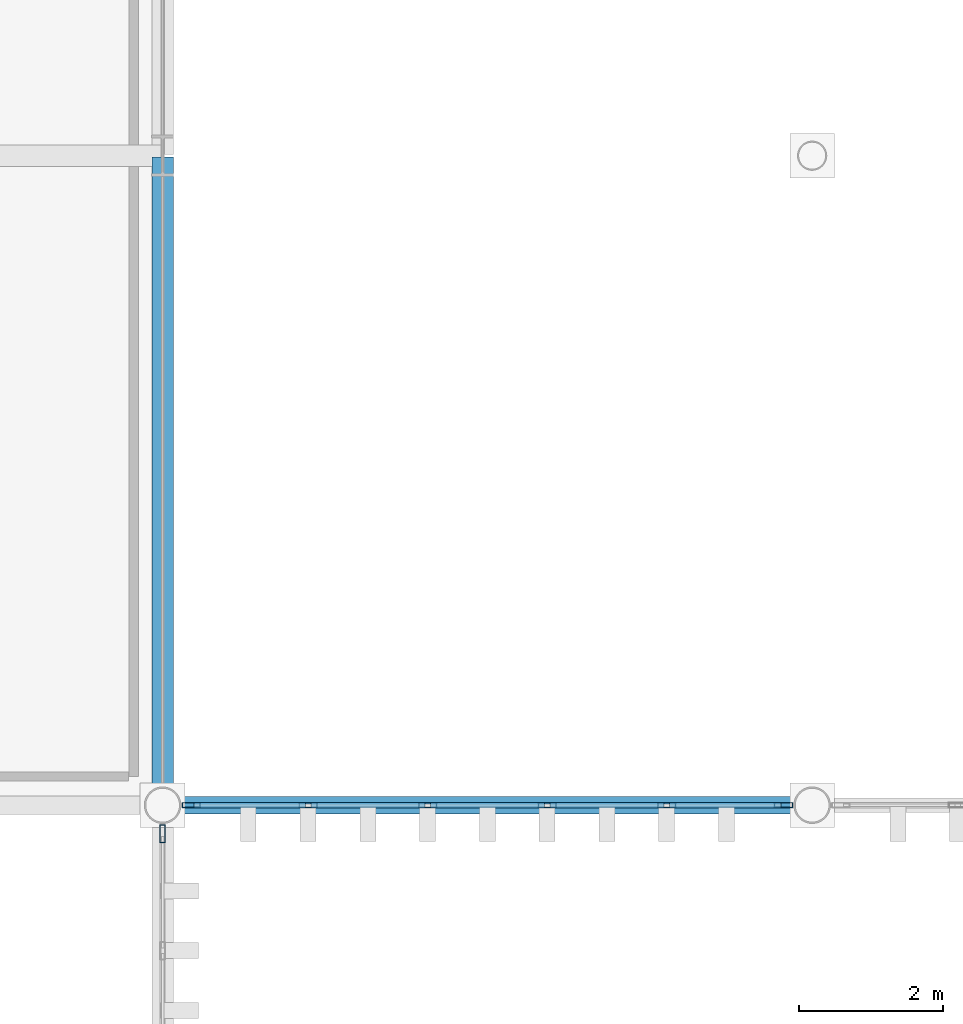
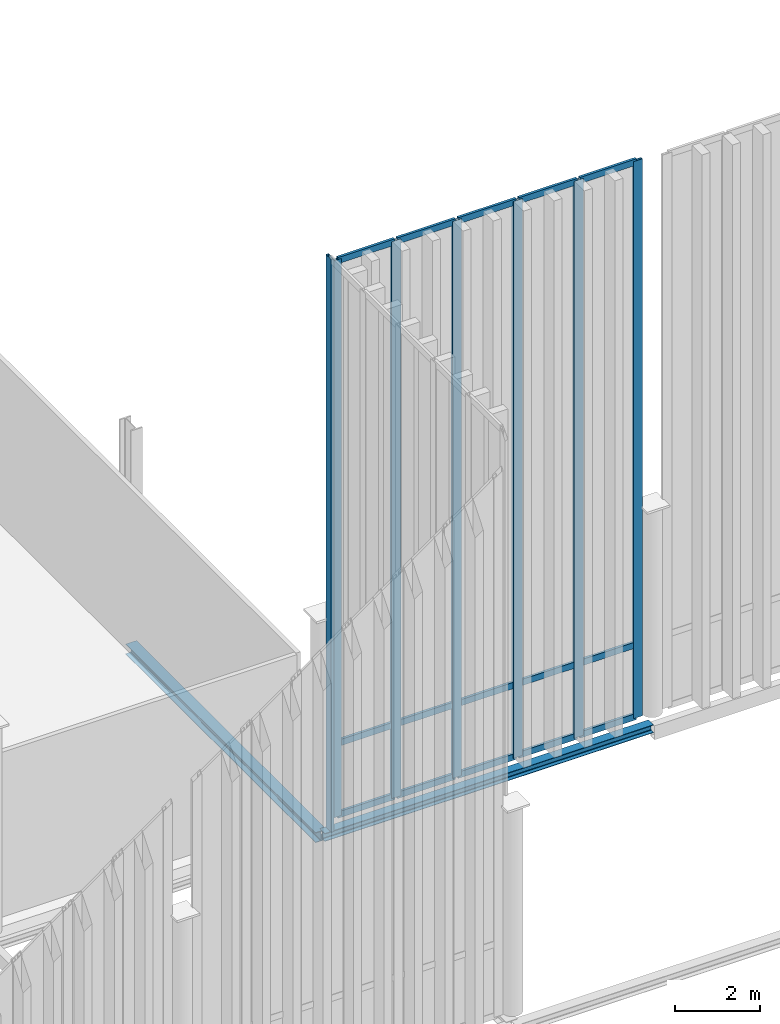
# One storey, part 35 of 237: 22 members, 2 beams, 2 elements without a shape of their own.
"""IFC4 building model written with IfcOpenShell, lengths in metres."""

import ifcopenshell
import ifcopenshell.guid

model = None  # the IFC model being written
_history = None  # IfcOwnerHistory: only IFC2X3 demands one
_inside = {}  # id of a spatial element -> (the spatial element, [elements in it])
_under = {}  # id of a project, library or spatial element -> (it, [spatial elements below it])
_declared = {}  # id of a project -> (the project, [libraries it declares])
_typed = {}  # id of a type object -> (the type object, [elements of that type])
_made_of = {}  # id of a material, layer set ... -> (it, [elements and type objects made of it])


def new_model(schema):
    """Start an empty IFC model of exactly this schema.

    Asked for "IFC4X3", IfcOpenShell would pick the latest addendum, in which some entities
    have other attributes; the version numbers below select the first issue.
    IFC2X3 requires an IfcOwnerHistory on every rooted entity: one is made here for all.
    """
    global model, _history
    if schema == "IFC4X3":
        model = ifcopenshell.file(schema_version=(4, 3, 0, 0))
    else:
        model = ifcopenshell.file(schema=schema)
    _inside.clear()
    _under.clear()
    _declared.clear()
    _typed.clear()
    _made_of.clear()
    _history = None
    if model.schema == "IFC2X3":
        org = make("IfcOrganization", Name="unknown")
        user = make(
            "IfcPersonAndOrganization",
            ThePerson=make("IfcPerson", FamilyName="unknown"),
            TheOrganization=org,
        )
        app = make(
            "IfcApplication",
            ApplicationDeveloper=org,
            Version="unknown",
            ApplicationFullName="unknown",
            ApplicationIdentifier="unknown",
        )
        _history = make(
            "IfcOwnerHistory",
            OwningUser=user,
            OwningApplication=app,
            ChangeAction="ADDED",
            CreationDate=0,
        )
    return model


def make(cls, **values):
    """One entity of the class cls with the attributes given. An attribute that is None is left unset."""
    return model.create_entity(
        cls, **{name: value for name, value in values.items() if value is not None}
    )


def rooted(cls, **values):
    """An entity with a GlobalId (a new one), such as an element, a storey or a relation."""
    return make(cls, GlobalId=ifcopenshell.guid.new(), OwnerHistory=_history, **values)


def si_unit(unit_type, name, prefix=None):
    """IfcSIUnit, for example si_unit("LENGTHUNIT", "METRE", prefix="MILLI")."""
    return make("IfcSIUnit", UnitType=unit_type, Prefix=prefix, Name=name)


def assignment(units):
    """IfcUnitAssignment: the units of a project."""
    return None if units is None else make("IfcUnitAssignment", Units=units)


def point(xyz):
    """IfcCartesianPoint."""
    return None if xyz is None else make("IfcCartesianPoint", Coordinates=xyz)


def direction(xyz):
    """IfcDirection."""
    return None if xyz is None else make("IfcDirection", DirectionRatios=xyz)


def frame(location, z_axis=None, x_axis=None):
    """IfcAxis2Placement3D, a coordinate frame: its origin and axes. An axis left out is left unset."""
    return make(
        "IfcAxis2Placement3D",
        Location=point(location),
        Axis=direction(z_axis),
        RefDirection=direction(x_axis),
    )


def frame_2d(location, x_axis=None):
    """IfcAxis2Placement2D, a coordinate frame in the plane: its origin and x axis."""
    return make(
        "IfcAxis2Placement2D", Location=point(location), RefDirection=direction(x_axis)
    )


def origin():
    """The frame at (0, 0, 0) with its axes left unset."""
    return frame((0.0, 0.0, 0.0))


def origin_2d():
    """The frame at (0, 0) in the plane with its x axis left unset."""
    return frame_2d((0.0, 0.0))


def place(relative_to, where):
    """IfcLocalPlacement: puts the frame where relative to a parent placement (None: the world)."""
    return make(
        "IfcLocalPlacement", PlacementRelTo=relative_to, RelativePlacement=where
    )


def context(
    kind, dimensions, precision=None, world=None, true_north=None, identifier=None
):
    """IfcGeometricRepresentationContext, for example the 3D "Model" context."""
    return make(
        "IfcGeometricRepresentationContext",
        ContextIdentifier=identifier,
        ContextType=kind,
        CoordinateSpaceDimension=dimensions,
        Precision=precision,
        WorldCoordinateSystem=world,
        TrueNorth=true_north,
    )


def subcontext(parent, identifier, kind, view, scale=None):
    """IfcGeometricRepresentationSubContext, for example "Body" below "Model"."""
    return make(
        "IfcGeometricRepresentationSubContext",
        ContextIdentifier=identifier,
        ContextType=kind,
        ParentContext=parent,
        TargetScale=scale,
        TargetView=view,
    )


def project(units=None, contexts=None):
    """IfcProject with its units and contexts."""
    return rooted(
        "IfcProject",
        Name="project",
        RepresentationContexts=contexts,
        UnitsInContext=assignment(units),
    )


def spatial(cls, under=None, at=None, **own):
    """A site, building, storey or space (cls), placed at a placement, below another one or the project."""
    s = rooted(cls, ObjectPlacement=at, **own)
    if under is not None:
        _under.setdefault(under.id(), (under, []))[1].append(s)
    return s


def profile(cls, at=None, kind="AREA", **sizes):
    """A parametric profile (cls). Its sizes go by their IFC names, for example OverallWidth=200.0."""
    return make(cls, ProfileType=kind, Position=at, **sizes)


def hollow_rectangle(**sizes):
    """IfcRectangleHollowProfileDef."""
    return profile("IfcRectangleHollowProfileDef", **sizes)


def i_section(**sizes):
    """IfcIShapeProfileDef."""
    return profile("IfcIShapeProfileDef", **sizes)


def extrude(swept, where, along, depth):
    """IfcExtrudedAreaSolid: the profile swept, set in the frame where, extruded along a direction by depth."""
    return make(
        "IfcExtrudedAreaSolid",
        SweptArea=swept,
        Position=where,
        ExtrudedDirection=direction(along),
        Depth=depth,
    )


def shape(context_of_items, identifier, shape_type, items):
    """IfcShapeRepresentation: the items that make up one representation, for example the "Body"."""
    return make(
        "IfcShapeRepresentation",
        ContextOfItems=context_of_items,
        RepresentationIdentifier=identifier,
        RepresentationType=shape_type,
        Items=items,
    )


def material(Name=None, Category=None):
    """IfcMaterial."""
    return make("IfcMaterial", Name=Name, Category=Category)


def layer(
    of_material, thickness, ventilated=None, Name=None, Category=None, Priority=None
):
    """IfcMaterialLayer: one layer of a wall or slab, of a material (None: an air gap)."""
    return make(
        "IfcMaterialLayer",
        Material=of_material,
        LayerThickness=thickness,
        IsVentilated=ventilated,
        Name=Name,
        Category=Category,
        Priority=Priority,
    )


def layer_set(layers, Name=None):
    """IfcMaterialLayerSet."""
    return make("IfcMaterialLayerSet", MaterialLayers=layers, LayerSetName=Name)


def material_profile(
    of_material, cross_section, Name=None, Category=None, Priority=None
):
    """IfcMaterialProfile: a cross section and its material."""
    return make(
        "IfcMaterialProfile",
        Name=Name,
        Material=of_material,
        Profile=cross_section,
        Priority=Priority,
        Category=Category,
    )


def profile_set(profiles, Name=None, composite=None):
    """IfcMaterialProfileSet."""
    return make(
        "IfcMaterialProfileSet",
        Name=Name,
        MaterialProfiles=profiles,
        CompositeProfile=composite,
    )


def made_of(thing, what):
    """Note that an element or type object is made of a material, layer set ...; save() writes the relation."""
    if what is not None:
        _made_of.setdefault(what.id(), (what, []))[1].append(thing)
    return thing


def type_object(cls, material=None, **own):
    """A type object (cls), such as IfcWallType, which elements share."""
    return made_of(rooted(cls, **own), material)


def element(
    cls,
    number,
    at=None,
    inside=None,
    cuts=None,
    type_object=None,
    material=None,
    context=None,
    identifier="Body",
    shape_type=None,
    held_by="IfcProductDefinitionShape",
    body=None,
    shapes=None,
    **own,
):
    """One element of the class cls, such as IfcWall. Its Tag is "e" and its number.

    at: its placement. inside: the storey or other place that contains it. cuts: it is an
    opening in that element (IfcRelVoidsElement). A single representation is given by context,
    identifier, shape_type and body (its items); several are given by shapes. held_by: the class
    of the entity that holds the representations. save() writes the other relations.
    """
    e = rooted(cls, Tag="e%d" % number, ObjectPlacement=at, **own)
    if body is not None:
        shapes = [shape(context, identifier, shape_type, body)]
    if shapes is not None:
        e.Representation = make(held_by, Representations=shapes)
    if inside is not None:
        _inside.setdefault(inside.id(), (inside, []))[1].append(e)
    if cuts is not None:
        rooted(
            "IfcRelVoidsElement", RelatingBuildingElement=cuts, RelatedOpeningElement=e
        )
    if type_object is not None:
        _typed.setdefault(type_object.id(), (type_object, []))[1].append(e)
    return made_of(e, material)


def aggregate(whole, parts):
    """IfcRelAggregates: a whole, such as a stair, and the parts it consists of."""
    return rooted("IfcRelAggregates", RelatingObject=whole, RelatedObjects=parts)


def save(model, path):
    """Write the relations noted so far, then the file.

    IfcRelAggregates (storeys below a building ...), IfcRelContainedInSpatialStructure (elements
    in a storey), IfcRelDefinesByType, IfcRelAssociatesMaterial and IfcRelDeclares: one each for
    every whole, place, type object, material and project.
    """
    for whole, parts in _under.values():
        aggregate(whole, parts)
    for where, things in _inside.values():
        rooted(
            "IfcRelContainedInSpatialStructure",
            RelatedElements=things,
            RelatingStructure=where,
        )
    for kind, things in _typed.values():
        rooted("IfcRelDefinesByType", RelatedObjects=things, RelatingType=kind)
    for what, things in _made_of.values():
        rooted("IfcRelAssociatesMaterial", RelatedObjects=things, RelatingMaterial=what)
    for by, libraries in _declared.values():
        rooted("IfcRelDeclares", RelatingContext=by, RelatedDefinitions=libraries)
    model.write(path)


model = new_model("IFC4")

# Units and contexts
model_context = context("Model", 3, precision=1e-05, world=origin(), true_north=direction((0.0, 1.0)))
body_context = subcontext(model_context, "Body", "Model", "MODEL_VIEW")
ifc_project = project(units=[si_unit("LENGTHUNIT", "METRE"), si_unit("AREAUNIT", "SQUARE_METRE"), si_unit("VOLUMEUNIT", "CUBIC_METRE"), si_unit("PLANEANGLEUNIT", "RADIAN"), si_unit("MASSUNIT", "GRAM", prefix="KILO")], contexts=[model_context])

# Site, building, storey
site_placement = place(None, origin())
site = spatial("IfcSite", under=ifc_project, at=site_placement, CompositionType="ELEMENT")
building_placement = place(site_placement, origin())
building = spatial("IfcBuilding", under=site, at=building_placement, Name="Barlavento Convention Centre", CompositionType="ELEMENT")
storey_placement = place(building_placement, frame((0.0, 0.0, 12.0)))
storey = spatial("IfcBuildingStorey", under=building, at=storey_placement, Name="L02", CompositionType="ELEMENT", Elevation=12.0)

# Curtain wall, members
ifc_material_1 = material(Name="Powder-coated aluminium and Low-E glass", Category="aluminium")
ifc_layer = layer(ifc_material_1, 0.18994140625)
ifc_layer_set = layer_set([ifc_layer], Name="ARC-CW-CONG-L02")
curtain_wall_type = type_object("IfcCurtainWallType", Name="ARC-CW-CONG-L02", PredefinedType="NOTDEFINED", material=ifc_layer_set)
curtain_wall_1_placement = place(storey_placement, origin())
curtain_wall_1 = element("IfcCurtainWall", 1, at=curtain_wall_1_placement, inside=storey, type_object=curtain_wall_type, Name="L02 unitised curtain wall CW02", PredefinedType="NOTDEFINED")
ifc_material_2 = material(Name="Powder-coated aluminium", Category="aluminium")
ifc_material_profile_1 = material_profile(ifc_material_2, hollow_rectangle(XDim=0.074951171875, YDim=0.25, WallThickness=0.006103515625, at=origin_2d()), Name="AL-MULL 75x250x6")
ifc_profile_set_1 = profile_set([ifc_material_profile_1], Name="Powder-coated aluminium")
member_type_1 = type_object("IfcMemberType", Name="ARC-CWM-75X250", PredefinedType="MULLION", material=ifc_profile_set_1)
member_1_placement = place(storey_placement, frame((18.396484375, 9.0, 0.0), z_axis=(0.0, 0.0, 1.0), x_axis=(0.0, 1.0, 0.0)))
member_1 = element("IfcMember", 2, at=member_1_placement, type_object=member_type_1, Name="CW02 mullion 1", PredefinedType="MULLION", context=body_context, shape_type="SweptSolid", body=[
    extrude(hollow_rectangle(XDim=0.074951171875, YDim=0.25, WallThickness=0.006103515625, at=origin_2d()), origin(), (0.0, 0.0, 1.0), 16.037109375),
])
member_2_placement = place(storey_placement, frame((20.015380859375, 9.0, 0.0), z_axis=(0.0, 0.0, 1.0), x_axis=(0.0, 1.0, 0.0)))
member_2 = element("IfcMember", 3, at=member_2_placement, type_object=member_type_1, Name="CW02 mullion 2", PredefinedType="MULLION", context=body_context, shape_type="SweptSolid", body=[
    extrude(hollow_rectangle(XDim=0.074951171875, YDim=0.25, WallThickness=0.006103515625, at=origin_2d()), origin(), (0.0, 0.0, 1.0), 16.037109375),
])
member_3_placement = place(storey_placement, frame((21.671875, 9.0, 0.0), z_axis=(0.0, 0.0, 1.0), x_axis=(0.0, 1.0, 0.0)))
member_3 = element("IfcMember", 4, at=member_3_placement, type_object=member_type_1, Name="CW02 mullion 3", PredefinedType="MULLION", context=body_context, shape_type="SweptSolid", body=[
    extrude(hollow_rectangle(XDim=0.074951171875, YDim=0.25, WallThickness=0.006103515625, at=origin_2d()), origin(), (0.0, 0.0, 1.0), 16.037109375),
])
member_4_placement = place(storey_placement, frame((23.328125, 9.0, 0.0), z_axis=(0.0, 0.0, 1.0), x_axis=(0.0, 1.0, 0.0)))
member_4 = element("IfcMember", 5, at=member_4_placement, type_object=member_type_1, Name="CW02 mullion 4", PredefinedType="MULLION", context=body_context, shape_type="SweptSolid", body=[
    extrude(hollow_rectangle(XDim=0.074951171875, YDim=0.25, WallThickness=0.006103515625, at=origin_2d()), origin(), (0.0, 0.0, 1.0), 16.037109375),
])
member_5_placement = place(storey_placement, frame((24.984619140625, 9.0, 0.0), z_axis=(0.0, 0.0, 1.0), x_axis=(0.0, 1.0, 0.0)))
member_5 = element("IfcMember", 6, at=member_5_placement, type_object=member_type_1, Name="CW02 mullion 5", PredefinedType="MULLION", context=body_context, shape_type="SweptSolid", body=[
    extrude(hollow_rectangle(XDim=0.074951171875, YDim=0.25, WallThickness=0.006103515625, at=origin_2d()), origin(), (0.0, 0.0, 1.0), 16.037109375),
])
member_6_placement = place(storey_placement, frame((26.603515625, 9.0, 0.0), z_axis=(0.0, 0.0, 1.0), x_axis=(0.0, 1.0, 0.0)))
member_6 = element("IfcMember", 7, at=member_6_placement, type_object=member_type_1, Name="CW02 mullion 6", PredefinedType="MULLION", context=body_context, shape_type="SweptSolid", body=[
    extrude(hollow_rectangle(XDim=0.074951171875, YDim=0.25, WallThickness=0.006103515625, at=origin_2d()), origin(), (0.0, 0.0, 1.0), 16.037109375),
])

# Curtain wall, member
curtain_wall_2_placement = place(storey_placement, origin())
curtain_wall_2 = element("IfcCurtainWall", 8, at=curtain_wall_2_placement, inside=storey, type_object=curtain_wall_type, Name="L02 unitised curtain wall CW02", PredefinedType="NOTDEFINED")
member_7_placement = place(storey_placement, frame((18.0, 8.603515625, 0.0), z_axis=(0.0, 0.0, 1.0), x_axis=(-1.0, 0.0, 0.0)))
member_7 = element("IfcMember", 9, at=member_7_placement, type_object=member_type_1, Name="CW02 mullion 6", PredefinedType="MULLION", context=body_context, shape_type="SweptSolid", body=[
    extrude(hollow_rectangle(XDim=0.074951171875, YDim=0.25, WallThickness=0.006103515625, at=origin_2d()), origin(), (0.0, 0.0, 1.0), 16.493896484375),
])
aggregate(curtain_wall_2, [member_7])

# Member
ifc_material_profile_2 = material_profile(ifc_material_2, hollow_rectangle(XDim=0.070068359375, YDim=0.179931640625, WallThickness=0.0048828125, at=origin_2d()), Name="AL-TRAN 70x180x5")
ifc_profile_set_2 = profile_set([ifc_material_profile_2], Name="Powder-coated aluminium")
member_type_2 = type_object("IfcMemberType", Name="ARC-CWT-70X180", PredefinedType="USERDEFINED", material=ifc_profile_set_2)
member_8_placement = place(storey_placement, frame((18.43408203125, 9.0, 0.034912109375), z_axis=(1.0, 0.0, 0.0), x_axis=(0.0, 1.0, 0.0)))
member_8 = element("IfcMember", 10, at=member_8_placement, type_object=member_type_2, Name="CW02 transom 1.1", ObjectType="TRANSOM", PredefinedType="USERDEFINED", context=body_context, shape_type="SweptSolid", body=[
    extrude(hollow_rectangle(XDim=0.070068359375, YDim=0.179931640625, WallThickness=0.0048828125, at=origin_2d()), origin(), (0.0, 0.0, 1.0), 1.543701171875),
])

member_9_placement = place(storey_placement, frame((18.43408203125, 9.0, 2.10009765625), z_axis=(1.0, 0.0, 0.0), x_axis=(0.0, 1.0, 0.0)))
member_9 = element("IfcMember", 11, at=member_9_placement, type_object=member_type_2, Name="CW02 transom 1.2", ObjectType="TRANSOM", PredefinedType="USERDEFINED", context=body_context, shape_type="SweptSolid", body=[
    extrude(hollow_rectangle(XDim=0.070068359375, YDim=0.179931640625, WallThickness=0.0048828125, at=origin_2d()), origin(), (0.0, 0.0, 1.0), 1.543701171875),
])

member_10_placement = place(storey_placement, frame((18.43408203125, 9.0, 16.001953125), z_axis=(1.0, 0.0, 0.0), x_axis=(0.0, 1.0, 0.0)))
member_10 = element("IfcMember", 12, at=member_10_placement, type_object=member_type_2, Name="CW02 transom 1.3", ObjectType="TRANSOM", PredefinedType="USERDEFINED", context=body_context, shape_type="SweptSolid", body=[
    extrude(hollow_rectangle(XDim=0.070068359375, YDim=0.179931640625, WallThickness=0.0048828125, at=origin_2d()), origin(), (0.0, 0.0, 1.0), 1.543701171875),
])

member_11_placement = place(storey_placement, frame((20.052978515625, 9.0, 0.034912109375), z_axis=(1.0, 0.0, 0.0), x_axis=(0.0, 1.0, 0.0)))
member_11 = element("IfcMember", 13, at=member_11_placement, type_object=member_type_2, Name="CW02 transom 2.1", ObjectType="TRANSOM", PredefinedType="USERDEFINED", context=body_context, shape_type="SweptSolid", body=[
    extrude(hollow_rectangle(XDim=0.070068359375, YDim=0.179931640625, WallThickness=0.0048828125, at=origin_2d()), origin(), (0.0, 0.0, 1.0), 1.581298828125),
])

member_12_placement = place(storey_placement, frame((20.052978515625, 9.0, 2.10009765625), z_axis=(1.0, 0.0, 0.0), x_axis=(0.0, 1.0, 0.0)))
member_12 = element("IfcMember", 14, at=member_12_placement, type_object=member_type_2, Name="CW02 transom 2.2", ObjectType="TRANSOM", PredefinedType="USERDEFINED", context=body_context, shape_type="SweptSolid", body=[
    extrude(hollow_rectangle(XDim=0.070068359375, YDim=0.179931640625, WallThickness=0.0048828125, at=origin_2d()), origin(), (0.0, 0.0, 1.0), 1.581298828125),
])

member_13_placement = place(storey_placement, frame((20.052978515625, 9.0, 16.001953125), z_axis=(1.0, 0.0, 0.0), x_axis=(0.0, 1.0, 0.0)))
member_13 = element("IfcMember", 15, at=member_13_placement, type_object=member_type_2, Name="CW02 transom 2.3", ObjectType="TRANSOM", PredefinedType="USERDEFINED", context=body_context, shape_type="SweptSolid", body=[
    extrude(hollow_rectangle(XDim=0.070068359375, YDim=0.179931640625, WallThickness=0.0048828125, at=origin_2d()), origin(), (0.0, 0.0, 1.0), 1.581298828125),
])

member_14_placement = place(storey_placement, frame((21.709228515625, 9.0, 0.034912109375), z_axis=(1.0, 0.0, 0.0), x_axis=(0.0, 1.0, 0.0)))
member_14 = element("IfcMember", 16, at=member_14_placement, type_object=member_type_2, Name="CW02 transom 3.1", ObjectType="TRANSOM", PredefinedType="USERDEFINED", context=body_context, shape_type="SweptSolid", body=[
    extrude(hollow_rectangle(XDim=0.070068359375, YDim=0.179931640625, WallThickness=0.0048828125, at=origin_2d()), origin(), (0.0, 0.0, 1.0), 1.58154296875),
])

member_15_placement = place(storey_placement, frame((21.709228515625, 9.0, 2.10009765625), z_axis=(1.0, 0.0, 0.0), x_axis=(0.0, 1.0, 0.0)))
member_15 = element("IfcMember", 17, at=member_15_placement, type_object=member_type_2, Name="CW02 transom 3.2", ObjectType="TRANSOM", PredefinedType="USERDEFINED", context=body_context, shape_type="SweptSolid", body=[
    extrude(hollow_rectangle(XDim=0.070068359375, YDim=0.179931640625, WallThickness=0.0048828125, at=origin_2d()), origin(), (0.0, 0.0, 1.0), 1.58154296875),
])

member_16_placement = place(storey_placement, frame((21.709228515625, 9.0, 16.001953125), z_axis=(1.0, 0.0, 0.0), x_axis=(0.0, 1.0, 0.0)))
member_16 = element("IfcMember", 18, at=member_16_placement, type_object=member_type_2, Name="CW02 transom 3.3", ObjectType="TRANSOM", PredefinedType="USERDEFINED", context=body_context, shape_type="SweptSolid", body=[
    extrude(hollow_rectangle(XDim=0.070068359375, YDim=0.179931640625, WallThickness=0.0048828125, at=origin_2d()), origin(), (0.0, 0.0, 1.0), 1.58154296875),
])

member_17_placement = place(storey_placement, frame((23.36572265625, 9.0, 0.034912109375), z_axis=(1.0, 0.0, 0.0), x_axis=(0.0, 1.0, 0.0)))
member_17 = element("IfcMember", 19, at=member_17_placement, type_object=member_type_2, Name="CW02 transom 4.1", ObjectType="TRANSOM", PredefinedType="USERDEFINED", context=body_context, shape_type="SweptSolid", body=[
    extrude(hollow_rectangle(XDim=0.070068359375, YDim=0.179931640625, WallThickness=0.0048828125, at=origin_2d()), origin(), (0.0, 0.0, 1.0), 1.581298828125),
])

member_18_placement = place(storey_placement, frame((23.36572265625, 9.0, 2.10009765625), z_axis=(1.0, 0.0, 0.0), x_axis=(0.0, 1.0, 0.0)))
member_18 = element("IfcMember", 20, at=member_18_placement, type_object=member_type_2, Name="CW02 transom 4.2", ObjectType="TRANSOM", PredefinedType="USERDEFINED", context=body_context, shape_type="SweptSolid", body=[
    extrude(hollow_rectangle(XDim=0.070068359375, YDim=0.179931640625, WallThickness=0.0048828125, at=origin_2d()), origin(), (0.0, 0.0, 1.0), 1.581298828125),
])

member_19_placement = place(storey_placement, frame((23.36572265625, 9.0, 16.001953125), z_axis=(1.0, 0.0, 0.0), x_axis=(0.0, 1.0, 0.0)))
member_19 = element("IfcMember", 21, at=member_19_placement, type_object=member_type_2, Name="CW02 transom 4.3", ObjectType="TRANSOM", PredefinedType="USERDEFINED", context=body_context, shape_type="SweptSolid", body=[
    extrude(hollow_rectangle(XDim=0.070068359375, YDim=0.179931640625, WallThickness=0.0048828125, at=origin_2d()), origin(), (0.0, 0.0, 1.0), 1.581298828125),
])

member_20_placement = place(storey_placement, frame((25.022216796875, 9.0, 0.034912109375), z_axis=(1.0, 0.0, 0.0), x_axis=(0.0, 1.0, 0.0)))
member_20 = element("IfcMember", 22, at=member_20_placement, type_object=member_type_2, Name="CW02 transom 5.1", ObjectType="TRANSOM", PredefinedType="USERDEFINED", context=body_context, shape_type="SweptSolid", body=[
    extrude(hollow_rectangle(XDim=0.070068359375, YDim=0.179931640625, WallThickness=0.0048828125, at=origin_2d()), origin(), (0.0, 0.0, 1.0), 1.543701171875),
])

member_21_placement = place(storey_placement, frame((25.022216796875, 9.0, 2.10009765625), z_axis=(1.0, 0.0, 0.0), x_axis=(0.0, 1.0, 0.0)))
member_21 = element("IfcMember", 23, at=member_21_placement, type_object=member_type_2, Name="CW02 transom 5.2", ObjectType="TRANSOM", PredefinedType="USERDEFINED", context=body_context, shape_type="SweptSolid", body=[
    extrude(hollow_rectangle(XDim=0.070068359375, YDim=0.179931640625, WallThickness=0.0048828125, at=origin_2d()), origin(), (0.0, 0.0, 1.0), 1.543701171875),
])

member_22_placement = place(storey_placement, frame((25.022216796875, 9.0, 16.001953125), z_axis=(1.0, 0.0, 0.0), x_axis=(0.0, 1.0, 0.0)))
member_22 = element("IfcMember", 24, at=member_22_placement, type_object=member_type_2, Name="CW02 transom 5.3", ObjectType="TRANSOM", PredefinedType="USERDEFINED", context=body_context, shape_type="SweptSolid", body=[
    extrude(hollow_rectangle(XDim=0.070068359375, YDim=0.179931640625, WallThickness=0.0048828125, at=origin_2d()), origin(), (0.0, 0.0, 1.0), 1.543701171875),
])

aggregate(curtain_wall_1, [member_1, member_2, member_3, member_4, member_5, member_6, member_8, member_9, member_10, member_11, member_12, member_13, member_14, member_15, member_16, member_17, member_18, member_19, member_20, member_21, member_22])

# Beams
ifc_material_3 = material(Name="Steel S355", Category="steel")
ifc_material_profile_3 = material_profile(ifc_material_3, i_section(OverallWidth=0.239990234375, OverallDepth=0.22998046875, WebThickness=0.007568359375, FlangeThickness=0.011962890625, FilletRadius=0.02099609375, at=origin_2d()), Name="HEA 240")
ifc_profile_set_3 = profile_set([ifc_material_profile_3], Name="Steel S355")
beam_type_1 = type_object("IfcBeamType", Name="STR-BM-SPN-HEA240", PredefinedType="SPANDREL", material=ifc_profile_set_3)
beam_1_placement = place(storey_placement, frame((18.02001953125, 9.0, -0.4150390625), z_axis=(1.0, 0.0, 0.0), x_axis=(0.0, 1.0, 0.0)))
element("IfcBeam", 25, at=beam_1_placement, inside=storey, type_object=beam_type_1, Name="L02 primary girder SP05", PredefinedType="SPANDREL", context=body_context, shape_type="SweptSolid", body=[
    extrude(i_section(OverallWidth=0.239990234375, OverallDepth=0.22998046875, WebThickness=0.007568359375, FlangeThickness=0.011962890625, FilletRadius=0.02099609375, at=origin_2d()), origin(), (0.0, 0.0, 1.0), 8.9599609375),
])
ifc_material_profile_4 = material_profile(ifc_material_3, i_section(OverallWidth=0.300048828125, OverallDepth=0.2900390625, WebThickness=0.008544921875, FlangeThickness=0.013916015625, FilletRadius=0.027099609375, at=origin_2d()), Name="HEA 300")
ifc_profile_set_4 = profile_set([ifc_material_profile_4], Name="Steel S355")
beam_type_2 = type_object("IfcBeamType", Name="STR-BM-SPN-HEA300", PredefinedType="SPANDREL", material=ifc_profile_set_4)
beam_2_placement = place(storey_placement, frame((18.0, 9.02001953125, -0.445068359375), z_axis=(0.0, 1.0, 0.0), x_axis=(-1.0, 0.0, 0.0)))
element("IfcBeam", 26, at=beam_2_placement, inside=storey, type_object=beam_type_2, Name="L02 grid girder SP02", PredefinedType="SPANDREL", context=body_context, shape_type="SweptSolid", body=[
    extrude(i_section(OverallWidth=0.300048828125, OverallDepth=0.2900390625, WebThickness=0.008544921875, FlangeThickness=0.013916015625, FilletRadius=0.027099609375, at=origin_2d()), origin(), (0.0, 0.0, 1.0), 8.9599609375),
])

save(model, "model.ifc")
